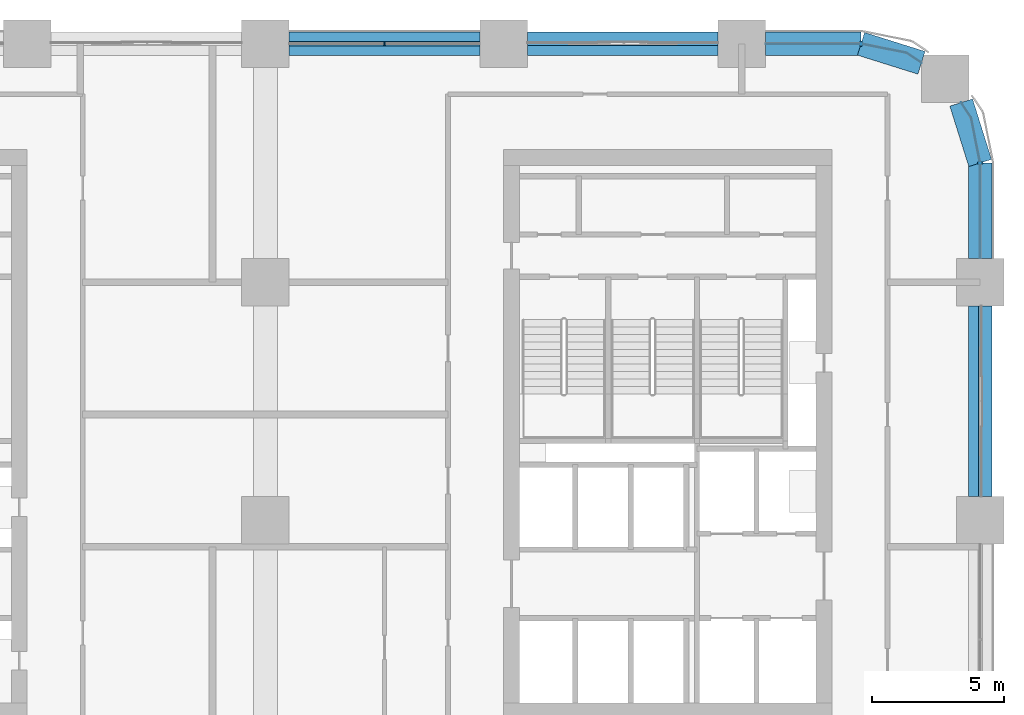
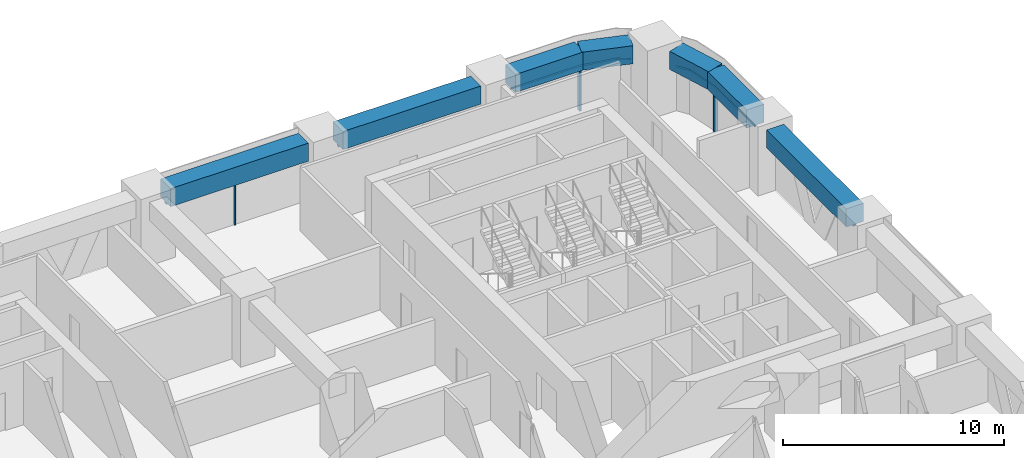
# One storey, part 9 of 19: 8 members, 7 beams, 5 elements without a shape of their own.
"""IFC4 building model written with IfcOpenShell, lengths in metres."""

import ifcopenshell
import ifcopenshell.guid

model = None  # the IFC model being written
_history = None  # IfcOwnerHistory: only IFC2X3 demands one
_inside = {}  # id of a spatial element -> (the spatial element, [elements in it])
_under = {}  # id of a project, library or spatial element -> (it, [spatial elements below it])
_declared = {}  # id of a project -> (the project, [libraries it declares])
_typed = {}  # id of a type object -> (the type object, [elements of that type])
_made_of = {}  # id of a material, layer set ... -> (it, [elements and type objects made of it])


def new_model(schema):
    """Start an empty IFC model of exactly this schema.

    Asked for "IFC4X3", IfcOpenShell would pick the latest addendum, in which some entities
    have other attributes; the version numbers below select the first issue.
    IFC2X3 requires an IfcOwnerHistory on every rooted entity: one is made here for all.
    """
    global model, _history
    if schema == "IFC4X3":
        model = ifcopenshell.file(schema_version=(4, 3, 0, 0))
    else:
        model = ifcopenshell.file(schema=schema)
    _inside.clear()
    _under.clear()
    _declared.clear()
    _typed.clear()
    _made_of.clear()
    _history = None
    if model.schema == "IFC2X3":
        org = make("IfcOrganization", Name="unknown")
        user = make(
            "IfcPersonAndOrganization",
            ThePerson=make("IfcPerson", FamilyName="unknown"),
            TheOrganization=org,
        )
        app = make(
            "IfcApplication",
            ApplicationDeveloper=org,
            Version="unknown",
            ApplicationFullName="unknown",
            ApplicationIdentifier="unknown",
        )
        _history = make(
            "IfcOwnerHistory",
            OwningUser=user,
            OwningApplication=app,
            ChangeAction="ADDED",
            CreationDate=0,
        )
    return model


def make(cls, **values):
    """One entity of the class cls with the attributes given. An attribute that is None is left unset."""
    return model.create_entity(
        cls, **{name: value for name, value in values.items() if value is not None}
    )


def rooted(cls, **values):
    """An entity with a GlobalId (a new one), such as an element, a storey or a relation."""
    return make(cls, GlobalId=ifcopenshell.guid.new(), OwnerHistory=_history, **values)


def si_unit(unit_type, name, prefix=None):
    """IfcSIUnit, for example si_unit("LENGTHUNIT", "METRE", prefix="MILLI")."""
    return make("IfcSIUnit", UnitType=unit_type, Prefix=prefix, Name=name)


def assignment(units):
    """IfcUnitAssignment: the units of a project."""
    return None if units is None else make("IfcUnitAssignment", Units=units)


def point(xyz):
    """IfcCartesianPoint."""
    return None if xyz is None else make("IfcCartesianPoint", Coordinates=xyz)


def direction(xyz):
    """IfcDirection."""
    return None if xyz is None else make("IfcDirection", DirectionRatios=xyz)


def frame(location, z_axis=None, x_axis=None):
    """IfcAxis2Placement3D, a coordinate frame: its origin and axes. An axis left out is left unset."""
    return make(
        "IfcAxis2Placement3D",
        Location=point(location),
        Axis=direction(z_axis),
        RefDirection=direction(x_axis),
    )


def frame_2d(location, x_axis=None):
    """IfcAxis2Placement2D, a coordinate frame in the plane: its origin and x axis."""
    return make(
        "IfcAxis2Placement2D", Location=point(location), RefDirection=direction(x_axis)
    )


def origin():
    """The frame at (0, 0, 0) with its axes left unset."""
    return frame((0.0, 0.0, 0.0))


def origin_2d():
    """The frame at (0, 0) in the plane with its x axis left unset."""
    return frame_2d((0.0, 0.0))


def place(relative_to, where):
    """IfcLocalPlacement: puts the frame where relative to a parent placement (None: the world)."""
    return make(
        "IfcLocalPlacement", PlacementRelTo=relative_to, RelativePlacement=where
    )


def context(
    kind, dimensions, precision=None, world=None, true_north=None, identifier=None
):
    """IfcGeometricRepresentationContext, for example the 3D "Model" context."""
    return make(
        "IfcGeometricRepresentationContext",
        ContextIdentifier=identifier,
        ContextType=kind,
        CoordinateSpaceDimension=dimensions,
        Precision=precision,
        WorldCoordinateSystem=world,
        TrueNorth=true_north,
    )


def subcontext(parent, identifier, kind, view, scale=None):
    """IfcGeometricRepresentationSubContext, for example "Body" below "Model"."""
    return make(
        "IfcGeometricRepresentationSubContext",
        ContextIdentifier=identifier,
        ContextType=kind,
        ParentContext=parent,
        TargetScale=scale,
        TargetView=view,
    )


def project(units=None, contexts=None):
    """IfcProject with its units and contexts."""
    return rooted(
        "IfcProject",
        Name="project",
        RepresentationContexts=contexts,
        UnitsInContext=assignment(units),
    )


def spatial(cls, under=None, at=None, **own):
    """A site, building, storey or space (cls), placed at a placement, below another one or the project."""
    s = rooted(cls, ObjectPlacement=at, **own)
    if under is not None:
        _under.setdefault(under.id(), (under, []))[1].append(s)
    return s


def polyline(points):
    """IfcPolyline through the points."""
    return make("IfcPolyline", Points=[point(p) for p in points])


def profile(cls, at=None, kind="AREA", **sizes):
    """A parametric profile (cls). Its sizes go by their IFC names, for example OverallWidth=200.0."""
    return make(cls, ProfileType=kind, Position=at, **sizes)


def rectangle(**sizes):
    """IfcRectangleProfileDef."""
    return profile("IfcRectangleProfileDef", **sizes)


def outline(outer, holes=None, kind="AREA"):
    """IfcArbitraryClosedProfileDef: a profile drawn as a closed curve; with holes, ...WithVoids."""
    if holes is None:
        return make("IfcArbitraryClosedProfileDef", ProfileType=kind, OuterCurve=outer)
    return make(
        "IfcArbitraryProfileDefWithVoids",
        ProfileType=kind,
        OuterCurve=outer,
        InnerCurves=holes,
    )


def extrude(swept, where, along, depth):
    """IfcExtrudedAreaSolid: the profile swept, set in the frame where, extruded along a direction by depth."""
    return make(
        "IfcExtrudedAreaSolid",
        SweptArea=swept,
        Position=where,
        ExtrudedDirection=direction(along),
        Depth=depth,
    )


def shape(context_of_items, identifier, shape_type, items):
    """IfcShapeRepresentation: the items that make up one representation, for example the "Body"."""
    return make(
        "IfcShapeRepresentation",
        ContextOfItems=context_of_items,
        RepresentationIdentifier=identifier,
        RepresentationType=shape_type,
        Items=items,
    )


def material(Name=None, Category=None):
    """IfcMaterial."""
    return make("IfcMaterial", Name=Name, Category=Category)


def material_profile(
    of_material, cross_section, Name=None, Category=None, Priority=None
):
    """IfcMaterialProfile: a cross section and its material."""
    return make(
        "IfcMaterialProfile",
        Name=Name,
        Material=of_material,
        Profile=cross_section,
        Priority=Priority,
        Category=Category,
    )


def profile_set(profiles, Name=None, composite=None):
    """IfcMaterialProfileSet."""
    return make(
        "IfcMaterialProfileSet",
        Name=Name,
        MaterialProfiles=profiles,
        CompositeProfile=composite,
    )


def made_of(thing, what):
    """Note that an element or type object is made of a material, layer set ...; save() writes the relation."""
    if what is not None:
        _made_of.setdefault(what.id(), (what, []))[1].append(thing)
    return thing


def type_object(cls, material=None, **own):
    """A type object (cls), such as IfcWallType, which elements share."""
    return made_of(rooted(cls, **own), material)


def element(
    cls,
    number,
    at=None,
    inside=None,
    cuts=None,
    type_object=None,
    material=None,
    context=None,
    identifier="Body",
    shape_type=None,
    held_by="IfcProductDefinitionShape",
    body=None,
    shapes=None,
    **own,
):
    """One element of the class cls, such as IfcWall. Its Tag is "e" and its number.

    at: its placement. inside: the storey or other place that contains it. cuts: it is an
    opening in that element (IfcRelVoidsElement). A single representation is given by context,
    identifier, shape_type and body (its items); several are given by shapes. held_by: the class
    of the entity that holds the representations. save() writes the other relations.
    """
    e = rooted(cls, Tag="e%d" % number, ObjectPlacement=at, **own)
    if body is not None:
        shapes = [shape(context, identifier, shape_type, body)]
    if shapes is not None:
        e.Representation = make(held_by, Representations=shapes)
    if inside is not None:
        _inside.setdefault(inside.id(), (inside, []))[1].append(e)
    if cuts is not None:
        rooted(
            "IfcRelVoidsElement", RelatingBuildingElement=cuts, RelatedOpeningElement=e
        )
    if type_object is not None:
        _typed.setdefault(type_object.id(), (type_object, []))[1].append(e)
    return made_of(e, material)


def aggregate(whole, parts):
    """IfcRelAggregates: a whole, such as a stair, and the parts it consists of."""
    return rooted("IfcRelAggregates", RelatingObject=whole, RelatedObjects=parts)


def save(model, path):
    """Write the relations noted so far, then the file.

    IfcRelAggregates (storeys below a building ...), IfcRelContainedInSpatialStructure (elements
    in a storey), IfcRelDefinesByType, IfcRelAssociatesMaterial and IfcRelDeclares: one each for
    every whole, place, type object, material and project.
    """
    for whole, parts in _under.values():
        aggregate(whole, parts)
    for where, things in _inside.values():
        rooted(
            "IfcRelContainedInSpatialStructure",
            RelatedElements=things,
            RelatingStructure=where,
        )
    for kind, things in _typed.values():
        rooted("IfcRelDefinesByType", RelatedObjects=things, RelatingType=kind)
    for what, things in _made_of.values():
        rooted("IfcRelAssociatesMaterial", RelatedObjects=things, RelatingMaterial=what)
    for by, libraries in _declared.values():
        rooted("IfcRelDeclares", RelatingContext=by, RelatedDefinitions=libraries)
    model.write(path)


model = new_model("IFC4")

# Units and contexts
model_context = context("Model", 3, precision=1e-05, world=origin(), true_north=direction((0.0, 1.0)))
body_context = subcontext(model_context, "Body", "Model", "MODEL_VIEW")
ifc_project = project(units=[si_unit("LENGTHUNIT", "METRE"), si_unit("AREAUNIT", "SQUARE_METRE"), si_unit("VOLUMEUNIT", "CUBIC_METRE"), si_unit("PLANEANGLEUNIT", "RADIAN"), si_unit("MASSUNIT", "GRAM", prefix="KILO")], contexts=[model_context])

# Site, building, storey
site_placement = place(None, origin())
site = spatial("IfcSite", under=ifc_project, at=site_placement, CompositionType="ELEMENT")
building_placement = place(site_placement, origin())
building = spatial("IfcBuilding", under=site, at=building_placement, Name="Tessera Arch", CompositionType="ELEMENT")
storey_placement = place(building_placement, frame((0.0, 0.0, 85.39990234375)))
storey = spatial("IfcBuildingStorey", under=building, at=storey_placement, Name="L19", CompositionType="ELEMENT", Elevation=85.39990234375)

# Curtain wall, members
ifc_material_1 = material(Name="CW1 curtain wall")
curtain_wall_type_1 = type_object("IfcCurtainWallType", Name="CW1 curtain wall", PredefinedType="NOTDEFINED", material=ifc_material_1)
curtain_wall_1_placement = place(storey_placement, origin())
curtain_wall_1 = element("IfcCurtainWall", 1, at=curtain_wall_1_placement, inside=storey, type_object=curtain_wall_type_1, Name="CW1 curtain wall N54.0/1 L19", PredefinedType="NOTDEFINED")
ifc_material_2 = material(Name="Anodised aluminium pale metal", Category="aluminium")
ifc_material_profile_1 = material_profile(ifc_material_2, rectangle(XDim=0.159912109375, YDim=0.06005859375, at=origin_2d()), Name="AL 60x160")
ifc_profile_set_1 = profile_set([ifc_material_profile_1], Name="Anodised aluminium pale metal")
member_type_1 = type_object("IfcMemberType", Name="CW1 mullion", PredefinedType="MULLION", material=ifc_profile_set_1)
member_1_placement = place(storey_placement, frame((31.5, 54.0, 0.0), z_axis=(0.0, 0.0, 1.0), x_axis=(0.0, -1.0, 0.0)))
member_1 = element("IfcMember", 2, at=member_1_placement, type_object=member_type_1, Name="CW1 mullion N54.0/1 1", PredefinedType="MULLION", context=body_context, shape_type="SweptSolid", body=[
    extrude(rectangle(XDim=0.159912109375, YDim=0.06005859375, at=origin_2d()), origin(), (0.0, 0.0, 1.0), 2.400146484375),
])
ifc_material_3 = material(Name="Anodised aluminium pale metal", Category="aluminium")
ifc_material_profile_2 = material_profile(ifc_material_3, rectangle(XDim=0.159912109375, YDim=0.10009765625, at=origin_2d()), Name="AL 160x100")
ifc_profile_set_2 = profile_set([ifc_material_profile_2], Name="Anodised aluminium pale metal")
member_type_2 = type_object("IfcMemberType", Name="CW1 transom", PredefinedType="USERDEFINED", material=ifc_profile_set_2)
member_2_placement = place(storey_placement, frame((35.10009765625, 54.0, 2.4501953125), z_axis=(-1.0, 0.0, 0.0), x_axis=(0.0, -1.0, 0.0)))
member_2 = element("IfcMember", 3, at=member_2_placement, type_object=member_type_2, Name="CW1 transom N54.0/1 1.1", ObjectType="TRANSOM", PredefinedType="USERDEFINED", context=body_context, shape_type="SweptSolid", body=[
    extrude(rectangle(XDim=0.159912109375, YDim=0.10009765625, at=origin_2d()), origin(), (0.0, 0.0, 1.0), 7.2001953125),
])
aggregate(curtain_wall_1, [member_1, member_2])

# Curtain wall, member
ifc_material_4 = material(Name="CW2 curtain wall")
curtain_wall_type_2 = type_object("IfcCurtainWallType", Name="CW2 curtain wall", PredefinedType="NOTDEFINED", material=ifc_material_4)
curtain_wall_2_placement = place(storey_placement, origin())
curtain_wall_2 = element("IfcCurtainWall", 4, at=curtain_wall_2_placement, inside=storey, type_object=curtain_wall_type_2, Name="CW2 curtain wall E54.0/5 L19", PredefinedType="NOTDEFINED")
ifc_material_5 = material(Name="Anodised aluminium pale metal", Category="aluminium")
ifc_material_profile_3 = material_profile(ifc_material_5, rectangle(XDim=0.199951171875, YDim=0.080078125, at=origin_2d()), Name="AL 80x200")
ifc_profile_set_3 = profile_set([ifc_material_profile_3], Name="Anodised aluminium pale metal")
member_type_3 = type_object("IfcMemberType", Name="CW2 mullion", PredefinedType="MULLION", material=ifc_profile_set_3)
member_3_placement = place(storey_placement, frame((54.0, 49.5, 0.0), z_axis=(0.0, 0.0, 1.0), x_axis=(-1.0, 0.0, 0.0)))
member_3 = element("IfcMember", 5, at=member_3_placement, type_object=member_type_3, Name="CW2 mullion E54.0/5 1", PredefinedType="MULLION", context=body_context, shape_type="SweptSolid", body=[
    extrude(rectangle(XDim=0.199951171875, YDim=0.080078125, at=origin_2d()), origin(), (0.0, 0.0, 1.0), 2.400146484375),
])

curtain_wall_3_placement = place(storey_placement, origin())
curtain_wall_3 = element("IfcCurtainWall", 6, at=curtain_wall_3_placement, inside=storey, type_object=curtain_wall_type_2, Name="CW2 curtain wall N54.0/5 L19", PredefinedType="NOTDEFINED")
member_4_placement = place(storey_placement, frame((49.5, 54.0, 0.0), z_axis=(0.0, 0.0, 1.0), x_axis=(0.0, -1.0, 0.0)))
member_4 = element("IfcMember", 7, at=member_4_placement, type_object=member_type_3, Name="CW2 mullion N54.0/5 1", PredefinedType="MULLION", context=body_context, shape_type="SweptSolid", body=[
    extrude(rectangle(XDim=0.199951171875, YDim=0.080078125, at=origin_2d()), origin(), (0.0, 0.0, 1.0), 2.400146484375),
])

# Member
ifc_material_6 = material(Name="Anodised aluminium pale metal", Category="aluminium")
ifc_material_profile_4 = material_profile(ifc_material_6, rectangle(XDim=0.199951171875, YDim=0.10009765625, at=origin_2d()), Name="AL 200x100")
ifc_profile_set_4 = profile_set([ifc_material_profile_4], Name="Anodised aluminium pale metal")
member_type_4 = type_object("IfcMemberType", Name="CW2 transom", PredefinedType="USERDEFINED", material=ifc_profile_set_4)
member_5_placement = place(storey_placement, frame((0.0, 0.0, 2.400146484375)))
member_5 = element("IfcMember", 8, at=member_5_placement, type_object=member_type_4, Name="CW2 transom E54.0/5 1", ObjectType="TRANSOM", PredefinedType="USERDEFINED", context=body_context, shape_type="SweptSolid", body=[
    extrude(outline(polyline([(53.989990234375, 49.4990234375), (53.989990234375, 45.89990234375), (54.010009765625, 45.89990234375), (54.010009765625, 49.5009765625), (53.6669921875, 51.22607421875), (53.29150390625, 51.78759765625), (53.27490234375, 51.7763671875), (53.648193359375, 51.21826171875), (53.989990234375, 49.4990234375)])), origin(), (0.0, 0.0, 1.0), 0.099853515625),
])

aggregate(curtain_wall_2, [member_3, member_5])

member_6_placement = place(storey_placement, frame((0.0, 0.0, 2.400146484375)))
member_6 = element("IfcMember", 9, at=member_6_placement, type_object=member_type_4, Name="CW2 transom N54.0/5 1", ObjectType="TRANSOM", PredefinedType="USERDEFINED", context=body_context, shape_type="SweptSolid", body=[
    extrude(outline(polyline([(51.21826171875, 53.648193359375), (51.7763671875, 53.27490234375), (51.78759765625, 53.29150390625), (51.22607421875, 53.6669921875), (49.5009765625, 54.010009765625), (45.89990234375, 54.010009765625), (45.89990234375, 53.989990234375), (49.4990234375, 53.989990234375), (51.21826171875, 53.648193359375)])), origin(), (0.0, 0.0, 1.0), 0.099853515625),
])

aggregate(curtain_wall_3, [member_4, member_6])

# Curtain wall, member
ifc_material_7 = material(Name="CW3 curtain wall")
curtain_wall_type_3 = type_object("IfcCurtainWallType", Name="CW3 curtain wall", PredefinedType="NOTDEFINED", material=ifc_material_7)
curtain_wall_4_placement = place(storey_placement, origin())
curtain_wall_4 = element("IfcCurtainWall", 10, at=curtain_wall_4_placement, inside=storey, type_object=curtain_wall_type_3, Name="CW3 curtain wall N54.0/0 L19", PredefinedType="NOTDEFINED")
ifc_material_8 = material(Name="Anodised aluminium pale metal", Category="aluminium")
ifc_material_profile_5 = material_profile(ifc_material_8, rectangle(XDim=0.139892578125, YDim=0.10009765625, at=origin_2d()), Name="AL 140x100")
ifc_profile_set_5 = profile_set([ifc_material_profile_5], Name="Anodised aluminium pale metal")
member_type_5 = type_object("IfcMemberType", Name="CW3 transom", PredefinedType="USERDEFINED", material=ifc_profile_set_5)
member_7_placement = place(storey_placement, frame((44.10009765625, 54.0, 2.4501953125), z_axis=(-1.0, 0.0, 0.0), x_axis=(0.0, -1.0, 0.0)))
member_7 = element("IfcMember", 11, at=member_7_placement, type_object=member_type_5, Name="CW3 transom N54.0/0 1.1", ObjectType="TRANSOM", PredefinedType="USERDEFINED", context=body_context, shape_type="SweptSolid", body=[
    extrude(rectangle(XDim=0.139892578125, YDim=0.10009765625, at=origin_2d()), origin(), (0.0, 0.0, 1.0), 7.2001953125),
])
aggregate(curtain_wall_4, [member_7])

curtain_wall_5_placement = place(storey_placement, origin())
curtain_wall_5 = element("IfcCurtainWall", 12, at=curtain_wall_5_placement, inside=storey, type_object=curtain_wall_type_3, Name="CW3 curtain wall E54.0/4 L19", PredefinedType="NOTDEFINED")
member_8_placement = place(storey_placement, frame((54.0, 36.89990234375, 2.4501953125), z_axis=(0.0, 1.0, 0.0), x_axis=(-1.0, 0.0, 0.0)))
member_8 = element("IfcMember", 13, at=member_8_placement, type_object=member_type_5, Name="CW3 transom E54.0/4 1.1", ObjectType="TRANSOM", PredefinedType="USERDEFINED", context=body_context, shape_type="SweptSolid", body=[
    extrude(rectangle(XDim=0.139892578125, YDim=0.10009765625, at=origin_2d()), origin(), (0.0, 0.0, 1.0), 7.2001953125),
])
aggregate(curtain_wall_5, [member_8])

# Beams
ifc_material_9 = material(Name="Concrete C80/95", Category="concrete")
ifc_material_profile_6 = material_profile(ifc_material_9, rectangle(XDim=0.89990234375, YDim=1.0, at=origin_2d()), Name="RC spandrel beam 900 x 1000 Concrete C80/95")
ifc_profile_set_6 = profile_set([ifc_material_profile_6], Name="Concrete C80/95")
beam_type = type_object("IfcBeamType", Name="RC spandrel beam 900 x 1000 Concrete C80/95", PredefinedType="BEAM", material=ifc_profile_set_6)
for number, where, z_axis, x_axis, name in (
    (14, (44.10009765625, 54.0, 3.0), (-1.0, 0.0, 0.0), (0.0, -1.0, 0.0), "Spandrel beam L19 N54.0/0"),
    (15, (35.10009765625, 54.0, 3.0), (-1.0, 0.0, 0.0), (0.0, -1.0, 0.0), "Spandrel beam L19 N54.0/1"),
    (16, (54.0, 36.89990234375, 3.0), (0.0, 1.0, 0.0), (-1.0, 0.0, 0.0), "Spandrel beam L19 E54.0/4"),
):
    element("IfcBeam", number, at=place(storey_placement, frame(where, z_axis=z_axis, x_axis=x_axis)), inside=storey, type_object=beam_type, Name=name, PredefinedType="BEAM", context=body_context, shape_type="SweptSolid", body=[
        extrude(rectangle(XDim=0.89990234375, YDim=1.0, at=origin_2d()), origin(), (0.0, 0.0, 1.0), 7.2001953125),
    ])
beam_1_placement = place(storey_placement, frame((54.0, 45.89990234375, 3.0), z_axis=(0.0, 1.0, 0.0), x_axis=(-1.0, 0.0, 0.0)))
element("IfcBeam", 17, at=beam_1_placement, inside=storey, type_object=beam_type, Name="Spandrel beam L19 E54.0/5.1", PredefinedType="BEAM", context=body_context, shape_type="SweptSolid", body=[
    extrude(rectangle(XDim=0.89990234375, YDim=1.0, at=origin_2d()), origin(), (0.0, 0.0, 1.0), 3.60009765625),
])
for number, where, z_axis, x_axis, name in (
    (18, (54.0, 49.5, 3.0), (-0.299675309057, 0.954041251279, 0.0), (-0.954041251279, -0.299675309057, 0.0), "Spandrel beam L19 E54.0/5.2"),
    (19, (51.781982421875, 53.283203125, 3.0), (-0.954041251279, 0.299675309057, 0.0), (-0.299675309057, -0.954041251279, 0.0), "Spandrel beam L19 N54.0/5.1"),
):
    element("IfcBeam", number, at=place(storey_placement, frame(where, z_axis=z_axis, x_axis=x_axis)), inside=storey, type_object=beam_type, Name=name, PredefinedType="BEAM", context=body_context, shape_type="SweptSolid", body=[
        extrude(rectangle(XDim=0.89990234375, YDim=1.0, at=origin_2d()), origin(), (0.0, 0.0, 1.0), 2.391845703125),
    ])
beam_2_placement = place(storey_placement, frame((49.5, 54.0, 3.0), z_axis=(-1.0, 0.0, 0.0), x_axis=(0.0, -1.0, 0.0)))
element("IfcBeam", 20, at=beam_2_placement, inside=storey, type_object=beam_type, Name="Spandrel beam L19 N54.0/5.2", PredefinedType="BEAM", context=body_context, shape_type="SweptSolid", body=[
    extrude(rectangle(XDim=0.89990234375, YDim=1.0, at=origin_2d()), origin(), (0.0, 0.0, 1.0), 3.60009765625),
])

save(model, "model.ifc")
